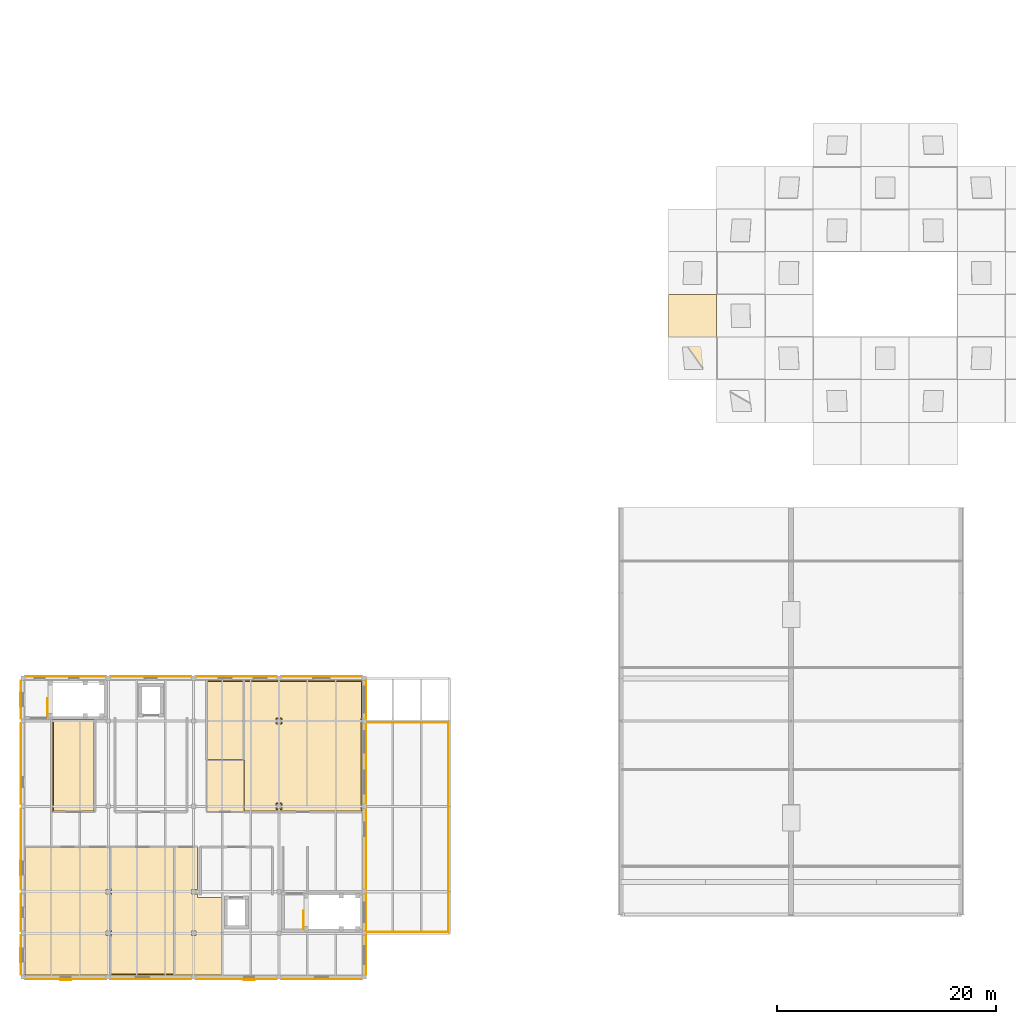
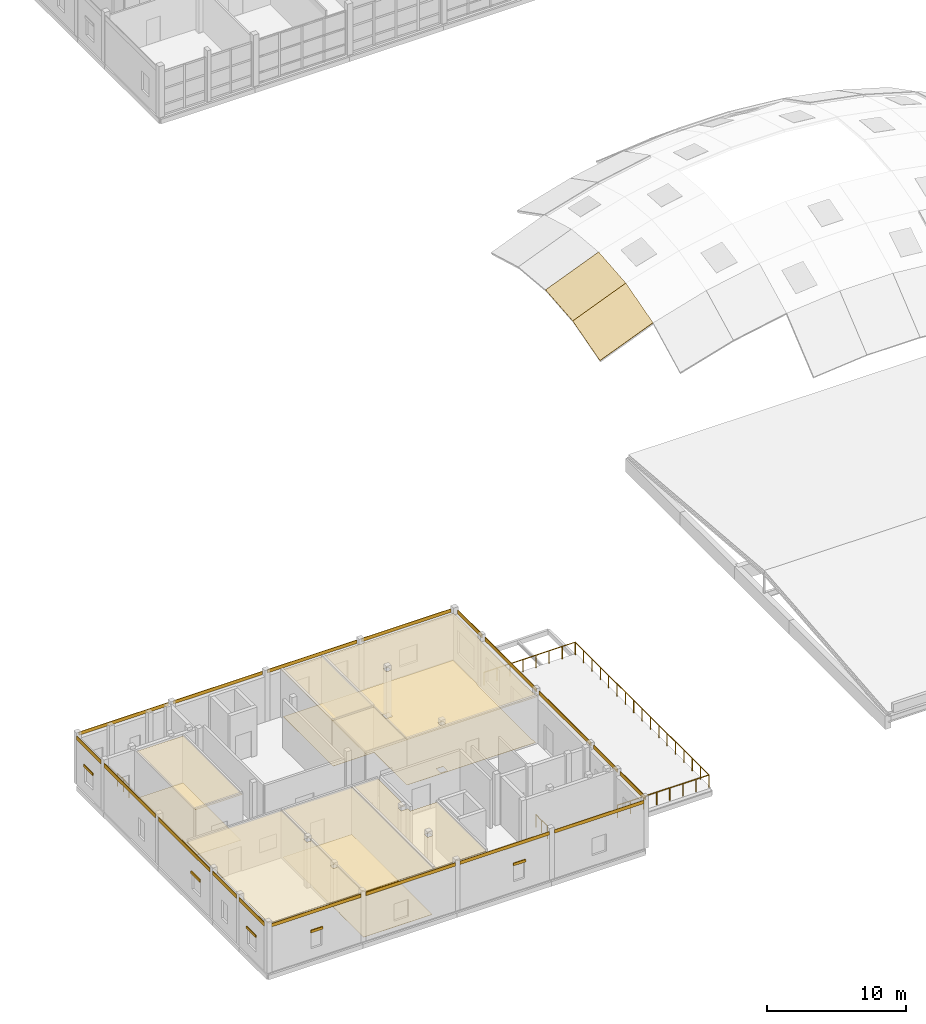
# One storey, part 40 of 45: 29 coverings, 5 railings, 5 shading devices.
"""IFC4 building model written with IfcOpenShell, lengths in metres."""

from ifc_helpers import new_model, si_unit, direction, frame, origin, origin_2d, place, context, subcontext, project, spatial, polyline, rectangle, circle, outline, extrude, material, layer, layer_set, type_object, element, save


model = new_model("IFC4")

# Units and contexts
model_context = context("Model", 3, precision=1e-05, world=origin(), true_north=direction((0.0, 1.0)))
body_context = subcontext(model_context, "Body", "Model", "MODEL_VIEW")
ifc_project = project(units=[si_unit("LENGTHUNIT", "METRE"), si_unit("AREAUNIT", "SQUARE_METRE"), si_unit("VOLUMEUNIT", "CUBIC_METRE"), si_unit("PLANEANGLEUNIT", "RADIAN"), si_unit("MASSUNIT", "GRAM", prefix="KILO")], contexts=[model_context])

# Site, building, storey
site_placement = place(None, origin())
site = spatial("IfcSite", under=ifc_project, at=site_placement, CompositionType="ELEMENT")
building_placement = place(site_placement, origin())
building = spatial("IfcBuilding", under=site, at=building_placement, Name="Celorna Specialist Clinic", CompositionType="ELEMENT")
storey_placement = place(building_placement, frame((0.0, 0.0, 18.60009765625)))
storey = spatial("IfcBuildingStorey", under=building, at=storey_placement, Name="L04", CompositionType="ELEMENT", Elevation=18.60009765625)

# Railings
ifc_material_1 = material(Name="Stainless steel and laminated glass balustrade", Category="steel")
railing_type_1 = type_object("IfcRailingType", Name="BL-01", PredefinedType="BALUSTRADE", material=ifc_material_1)
railing_1_placement = place(storey_placement, frame((31.320068359375, 23.280029296875, 0.0)))
element("IfcRailing", 1, at=railing_1_placement, inside=storey, type_object=railing_type_1, Name="Clinical Trials South Terrace perimeter balustrade 2", PredefinedType="BALUSTRADE", context=body_context, shape_type="SweptSolid", body=[
    extrude(circle(Radius=0.02392578125, at=origin_2d()), frame((0.0, 0.0, 1.09619140625), z_axis=(1.0, 0.0, 0.0), x_axis=(0.0, 1.0, 0.0)), (0.0, 0.0, 1.0), 7.559814453125),
    extrude(circle(Radius=0.02099609375, at=origin_2d()), origin(), (0.0, 0.0, 1.0), 1.072021484375),
    extrude(circle(Radius=0.02099609375, at=origin_2d()), frame((1.080078125, 0.0, 0.0)), (0.0, 0.0, 1.0), 1.072021484375),
    extrude(circle(Radius=0.02099609375, at=origin_2d()), frame((2.159912109375, 0.0, 0.0)), (0.0, 0.0, 1.0), 1.072021484375),
    extrude(circle(Radius=0.02099609375, at=origin_2d()), frame((3.239990234375, 0.0, 0.0)), (0.0, 0.0, 1.0), 1.072021484375),
    extrude(circle(Radius=0.02099609375, at=origin_2d()), frame((4.31982421875, 0.0, 0.0)), (0.0, 0.0, 1.0), 1.072021484375),
    extrude(circle(Radius=0.02099609375, at=origin_2d()), frame((5.39990234375, 0.0, 0.0)), (0.0, 0.0, 1.0), 1.072021484375),
    extrude(circle(Radius=0.02099609375, at=origin_2d()), frame((6.479736328125, 0.0, 0.0)), (0.0, 0.0, 1.0), 1.072021484375),
    extrude(circle(Radius=0.02099609375, at=origin_2d()), frame((7.559814453125, 0.0, 0.0)), (0.0, 0.0, 1.0), 1.072021484375),
])
railing_2_placement = place(storey_placement, frame((38.8798828125, 23.280029296875, 0.0)))
element("IfcRailing", 2, at=railing_2_placement, inside=storey, type_object=railing_type_1, Name="Clinical Trials South Terrace perimeter balustrade 3", PredefinedType="BALUSTRADE", context=body_context, shape_type="SweptSolid", body=[
    extrude(circle(Radius=0.02392578125, at=origin_2d()), frame((0.0, 0.0, 1.09619140625), z_axis=(0.0, -1.0, 0.0), x_axis=(1.0, 0.0, 0.0)), (0.0, 0.0, 1.0), 19.159912109375),
    extrude(circle(Radius=0.02099609375, at=origin_2d()), origin(), (0.0, 0.0, 1.0), 1.072021484375),
    extrude(circle(Radius=0.02099609375, at=origin_2d()), frame((0.0, -1.197509765625, 0.0)), (0.0, 0.0, 1.0), 1.072021484375),
    extrude(circle(Radius=0.02099609375, at=origin_2d()), frame((0.0, -2.39501953125, 0.0)), (0.0, 0.0, 1.0), 1.072021484375),
    extrude(circle(Radius=0.02099609375, at=origin_2d()), frame((0.0, -3.592529296875, 0.0)), (0.0, 0.0, 1.0), 1.072021484375),
    extrude(circle(Radius=0.02099609375, at=origin_2d()), frame((0.0, -4.7900390625, 0.0)), (0.0, 0.0, 1.0), 1.072021484375),
    extrude(circle(Radius=0.02099609375, at=origin_2d()), frame((0.0, -5.987548828125, 0.0)), (0.0, 0.0, 1.0), 1.072021484375),
    extrude(circle(Radius=0.02099609375, at=origin_2d()), frame((0.0, -7.18505859375, 0.0)), (0.0, 0.0, 1.0), 1.072021484375),
    extrude(circle(Radius=0.02099609375, at=origin_2d()), frame((0.0, -8.382568359375, 0.0)), (0.0, 0.0, 1.0), 1.072021484375),
    extrude(circle(Radius=0.02099609375, at=origin_2d()), frame((0.0, -9.580078125, 0.0)), (0.0, 0.0, 1.0), 1.072021484375),
    extrude(circle(Radius=0.02099609375, at=origin_2d()), frame((0.0, -10.77734375, 0.0)), (0.0, 0.0, 1.0), 1.072021484375),
    extrude(circle(Radius=0.02099609375, at=origin_2d()), frame((0.0, -11.974853515625, 0.0)), (0.0, 0.0, 1.0), 1.072021484375),
    extrude(circle(Radius=0.02099609375, at=origin_2d()), frame((0.0, -13.17236328125, 0.0)), (0.0, 0.0, 1.0), 1.072021484375),
    extrude(circle(Radius=0.02099609375, at=origin_2d()), frame((0.0, -14.369873046875, 0.0)), (0.0, 0.0, 1.0), 1.072021484375),
    extrude(circle(Radius=0.02099609375, at=origin_2d()), frame((0.0, -15.5673828125, 0.0)), (0.0, 0.0, 1.0), 1.072021484375),
    extrude(circle(Radius=0.02099609375, at=origin_2d()), frame((0.0, -16.764892578125, 0.0)), (0.0, 0.0, 1.0), 1.072021484375),
    extrude(circle(Radius=0.02099609375, at=origin_2d()), frame((0.0, -17.96240234375, 0.0)), (0.0, 0.0, 1.0), 1.072021484375),
    extrude(circle(Radius=0.02099609375, at=origin_2d()), frame((0.0, -19.159912109375, 0.0)), (0.0, 0.0, 1.0), 1.072021484375),
])
railing_3_placement = place(storey_placement, frame((38.8798828125, 4.1201171875, 0.0)))
element("IfcRailing", 3, at=railing_3_placement, inside=storey, type_object=railing_type_1, Name="Clinical Trials South Terrace perimeter balustrade 4", PredefinedType="BALUSTRADE", context=body_context, shape_type="SweptSolid", body=[
    extrude(circle(Radius=0.02392578125, at=origin_2d()), frame((0.0, 0.0, 1.09619140625), z_axis=(-1.0, 0.0, 0.0), x_axis=(0.0, -1.0, 0.0)), (0.0, 0.0, 1.0), 7.559814453125),
    extrude(circle(Radius=0.02099609375, at=origin_2d()), origin(), (0.0, 0.0, 1.0), 1.072021484375),
    extrude(circle(Radius=0.02099609375, at=origin_2d()), frame((-1.080078125, 0.0, 0.0)), (0.0, 0.0, 1.0), 1.072021484375),
    extrude(circle(Radius=0.02099609375, at=origin_2d()), frame((-2.159912109375, 0.0, 0.0)), (0.0, 0.0, 1.0), 1.072021484375),
    extrude(circle(Radius=0.02099609375, at=origin_2d()), frame((-3.239990234375, 0.0, 0.0)), (0.0, 0.0, 1.0), 1.072021484375),
    extrude(circle(Radius=0.02099609375, at=origin_2d()), frame((-4.31982421875, 0.0, 0.0)), (0.0, 0.0, 1.0), 1.072021484375),
    extrude(circle(Radius=0.02099609375, at=origin_2d()), frame((-5.39990234375, 0.0, 0.0)), (0.0, 0.0, 1.0), 1.072021484375),
    extrude(circle(Radius=0.02099609375, at=origin_2d()), frame((-6.479736328125, 0.0, 0.0)), (0.0, 0.0, 1.0), 1.072021484375),
    extrude(circle(Radius=0.02099609375, at=origin_2d()), frame((-7.559814453125, 0.0, 0.0)), (0.0, 0.0, 1.0), 1.072021484375),
])

# Coverings
ifc_material_2 = material(Name="Hygienic acoustic mineral-fibre ceiling")
ifc_layer_1 = layer(ifc_material_2, 0.030029296875, Name="Hygienic acoustic mineral-fibre ceiling")
ifc_layer_set_1 = layer_set([ifc_layer_1], Name="Hygienic acoustic mineral-fibre ceiling")
covering_type_1 = type_object("IfcCoveringType", Name="CE-01", PredefinedType="CEILING", material=ifc_layer_set_1)
covering_1_placement = place(storey_placement, frame((0.0, 0.0, 4.02978515625)))
element("IfcCovering", 4, at=covering_1_placement, inside=storey, type_object=covering_type_1, Name="Acoustic ceiling L04-024", PredefinedType="CEILING", context=body_context, shape_type="SweptSolid", body=[
    extrude(outline(polyline([(0.175048828125, 3.794921875), (0.205078125, 3.794921875), (0.205078125, 4.205078125), (0.175048828125, 4.205078125), (0.175048828125, 7.594970703125), (0.205078125, 7.594970703125), (0.205078125, 8.0048828125), (0.175048828125, 8.0048828125), (0.175048828125, 11.9150390625), (8.0048828125, 11.9150390625), (8.0048828125, 8.0048828125), (7.594970703125, 8.0048828125), (7.594970703125, 7.594970703125), (8.0048828125, 7.594970703125), (8.0048828125, 4.205078125), (7.594970703125, 4.205078125), (7.594970703125, 3.794921875), (8.0048828125, 3.794921875), (8.0048828125, 0.205078125), (7.594970703125, 0.205078125), (7.594970703125, 0.175048828125), (0.205078125, 0.175048828125), (0.205078125, 0.205078125), (0.175048828125, 0.205078125), (0.175048828125, 3.794921875)])), origin(), (0.0, 0.0, 1.0), 0.030029296875),
])
covering_2_placement = place(storey_placement, frame((0.0, 0.0, 4.02978515625)))
element("IfcCovering", 5, at=covering_2_placement, inside=storey, type_object=covering_type_1, Name="Acoustic ceiling L04-025", PredefinedType="CEILING", context=body_context, shape_type="SweptSolid", body=[
    extrude(outline(polyline([(7.97509765625, 3.794921875), (8.0048828125, 3.794921875), (8.0048828125, 4.205078125), (7.97509765625, 4.205078125), (7.97509765625, 7.594970703125), (8.0048828125, 7.594970703125), (8.0048828125, 8.0048828125), (7.97509765625, 8.0048828125), (7.97509765625, 11.9150390625), (13.85498046875, 11.9150390625), (13.85498046875, 0.175048828125), (8.0048828125, 0.175048828125), (8.0048828125, 0.205078125), (7.97509765625, 0.205078125), (7.97509765625, 3.794921875)])), origin(), (0.0, 0.0, 1.0), 0.030029296875),
])
covering_3_placement = place(storey_placement, frame((0.0, 0.0, 4.02978515625)))
element("IfcCovering", 6, at=covering_3_placement, inside=storey, type_object=covering_type_1, Name="Acoustic ceiling L04-026", PredefinedType="CEILING", context=body_context, shape_type="SweptSolid", body=[
    extrude(outline(polyline([(13.824951171875, 0.175048828125), (13.824951171875, 11.9150390625), (15.965087890625, 11.9150390625), (15.965087890625, 7.9951171875), (15.804931640625, 7.9951171875), (15.804931640625, 8.0048828125), (15.39501953125, 8.0048828125), (15.39501953125, 7.594970703125), (15.804931640625, 7.594970703125), (15.804931640625, 7.60498046875), (15.965087890625, 7.60498046875), (15.965087890625, 7.264892578125), (18.205078125, 7.264892578125), (18.205078125, 0.175048828125), (15.804931640625, 0.175048828125), (15.804931640625, 0.205078125), (15.39501953125, 0.205078125), (15.39501953125, 0.175048828125), (13.824951171875, 0.175048828125)]), holes=[polyline([(15.39501953125, 4.205078125), (15.39501953125, 3.794921875), (15.804931640625, 3.794921875), (15.804931640625, 4.205078125), (15.39501953125, 4.205078125)])]), origin(), (0.0, 0.0, 1.0), 0.030029296875),
])
covering_4_placement = place(storey_placement, frame((0.0, 0.0, 4.02978515625)))
element("IfcCovering", 7, at=covering_4_placement, inside=storey, type_object=covering_type_1, Name="Acoustic ceiling L04-027", PredefinedType="CEILING", context=body_context, shape_type="SweptSolid", body=[
    extrude(outline(polyline([(2.715087890625, 23.534912109375), (6.60498046875, 23.534912109375), (6.60498046875, 15.0849609375), (2.715087890625, 15.0849609375), (2.715087890625, 23.534912109375)])), origin(), (0.0, 0.0, 1.0), 0.030029296875),
])
covering_5_placement = place(storey_placement, frame((0.0, 0.0, 4.02978515625)))
element("IfcCovering", 8, at=covering_5_placement, inside=storey, type_object=covering_type_1, Name="Acoustic ceiling L04-028", PredefinedType="CEILING", context=body_context, shape_type="SweptSolid", body=[
    extrude(outline(polyline([(20.205078125, 19.81494140625), (20.205078125, 15.0849609375), (16.77490234375, 15.0849609375), (16.77490234375, 19.81494140625), (20.205078125, 19.81494140625)])), origin(), (0.0, 0.0, 1.0), 0.030029296875),
])
covering_6_placement = place(storey_placement, frame((0.0, 0.0, 4.02978515625)))
element("IfcCovering", 9, at=covering_6_placement, inside=storey, type_object=covering_type_1, Name="Acoustic ceiling L04-029", PredefinedType="CEILING", context=body_context, shape_type="SweptSolid", body=[
    extrude(outline(polyline([(30.9951171875, 27.125), (30.9951171875, 27.094970703125), (31.02490234375, 27.094970703125), (31.02490234375, 23.60498046875), (30.9951171875, 23.60498046875), (30.9951171875, 23.3349609375), (30.965087890625, 23.3349609375), (30.965087890625, 15.6650390625), (30.9951171875, 15.6650390625), (30.9951171875, 15.39501953125), (31.02490234375, 15.39501953125), (31.02490234375, 15.0849609375), (20.175048828125, 15.0849609375), (20.175048828125, 19.784912109375), (16.77490234375, 19.784912109375), (16.77490234375, 27.125), (23.195068359375, 27.125), (23.195068359375, 27.094970703125), (23.60498046875, 27.094970703125), (23.60498046875, 27.125), (30.9951171875, 27.125)]), holes=[polyline([(23.195068359375, 15.39501953125), (23.60498046875, 15.39501953125), (23.60498046875, 15.804931640625), (23.195068359375, 15.804931640625), (23.195068359375, 15.39501953125)]), polyline([(23.195068359375, 23.195068359375), (23.60498046875, 23.195068359375), (23.60498046875, 23.60498046875), (23.195068359375, 23.60498046875), (23.195068359375, 23.195068359375)])]), origin(), (0.0, 0.0, 1.0), 0.030029296875),
])
ifc_material_3 = material(Name="Pero Pinheiro Lioz limestone rainscreen cladding", Category="masonry")
ifc_layer_2 = layer(ifc_material_3, 0.044921875, Name="Pero Pinheiro Lioz limestone rainscreen cladding")
ifc_layer_set_2 = layer_set([ifc_layer_2], Name="Pero Pinheiro Lioz limestone rainscreen cladding")
covering_type_2 = type_object("IfcCoveringType", Name="CL-01", PredefinedType="CLADDING", material=ifc_layer_set_2)
for number, where, z_axis, x_axis, name in (
    (10, (3.89990234375, -0.16748046875, 3.949951171875), (0.0, 0.0, 1.0), (-1.0, 0.0, 0.0), "Lioz spandrel cladding #360"),
    (11, (11.699951171875, -0.16748046875, 3.949951171875), (0.0, 0.0, 1.0), (-1.0, 0.0, 0.0), "Lioz spandrel cladding #361"),
    (12, (19.5, -0.16748046875, 3.949951171875), (0.0, 0.0, 1.0), (-1.0, 0.0, 0.0), "Lioz spandrel cladding #362"),
    (13, (27.300048828125, -0.16748046875, 3.949951171875), (0.0, 0.0, 1.0), (-1.0, 0.0, 0.0), "Lioz spandrel cladding #363"),
    (14, (3.89990234375, 27.467529296875, 3.949951171875), (0.0, 0.0, 1.0), (1.0, 0.0, 0.0), "Lioz spandrel cladding #364"),
    (15, (11.699951171875, 27.467529296875, 3.949951171875), (0.0, 0.0, 1.0), (1.0, 0.0, 0.0), "Lioz spandrel cladding #365"),
    (16, (19.5, 27.467529296875, 3.949951171875), (0.0, 0.0, 1.0), (1.0, 0.0, 0.0), "Lioz spandrel cladding #366"),
    (17, (27.300048828125, 27.467529296875, 3.949951171875), (0.0, 0.0, 1.0), (1.0, 0.0, 0.0), "Lioz spandrel cladding #367"),
):
    element("IfcCovering", number, at=place(storey_placement, frame(where, z_axis=z_axis, x_axis=x_axis)), inside=storey, type_object=covering_type_2, Name=name, PredefinedType="CLADDING", context=body_context, shape_type="SweptSolid", body=[
        extrude(rectangle(XDim=7.39990234375, YDim=0.044921875, at=origin_2d()), origin(), (0.0, 0.0, 1.0), 0.2900390625),
    ])
covering_7_placement = place(storey_placement, frame((-0.16748046875, 2.0, 3.89990234375), z_axis=(0.0, 0.0, 1.0), x_axis=(0.0, 1.0, 0.0)))
element("IfcCovering", 18, at=covering_7_placement, inside=storey, type_object=covering_type_2, Name="Lioz spandrel cladding #368", PredefinedType="CLADDING", context=body_context, shape_type="SweptSolid", body=[
    extrude(rectangle(XDim=3.60009765625, YDim=0.044921875, at=origin_2d()), origin(), (0.0, 0.0, 1.0), 0.340087890625),
])
covering_8_placement = place(storey_placement, frame((-0.16748046875, 5.89990234375, 3.89990234375), z_axis=(0.0, 0.0, 1.0), x_axis=(0.0, 1.0, 0.0)))
element("IfcCovering", 19, at=covering_8_placement, inside=storey, type_object=covering_type_2, Name="Lioz spandrel cladding #369", PredefinedType="CLADDING", context=body_context, shape_type="SweptSolid", body=[
    extrude(rectangle(XDim=3.39990234375, YDim=0.044921875, at=origin_2d()), origin(), (0.0, 0.0, 1.0), 0.340087890625),
])
for number, where, z_axis, x_axis, name in (
    (20, (-0.16748046875, 11.699951171875, 3.89990234375), (0.0, 0.0, 1.0), (0.0, 1.0, 0.0), "Lioz spandrel cladding #370"),
    (21, (-0.16748046875, 19.5, 3.89990234375), (0.0, 0.0, 1.0), (0.0, 1.0, 0.0), "Lioz spandrel cladding #371"),
):
    element("IfcCovering", number, at=place(storey_placement, frame(where, z_axis=z_axis, x_axis=x_axis)), inside=storey, type_object=covering_type_2, Name=name, PredefinedType="CLADDING", context=body_context, shape_type="SweptSolid", body=[
        extrude(rectangle(XDim=7.39990234375, YDim=0.044921875, at=origin_2d()), origin(), (0.0, 0.0, 1.0), 0.340087890625),
    ])
covering_9_placement = place(storey_placement, frame((-0.16748046875, 25.35009765625, 3.89990234375), z_axis=(0.0, 0.0, 1.0), x_axis=(0.0, 1.0, 0.0)))
element("IfcCovering", 22, at=covering_9_placement, inside=storey, type_object=covering_type_2, Name="Lioz spandrel cladding #372", PredefinedType="CLADDING", context=body_context, shape_type="SweptSolid", body=[
    extrude(rectangle(XDim=3.5, YDim=0.044921875, at=origin_2d()), origin(), (0.0, 0.0, 1.0), 0.340087890625),
])
covering_10_placement = place(storey_placement, frame((31.367431640625, 2.0, 3.89990234375), z_axis=(0.0, 0.0, 1.0), x_axis=(0.0, -1.0, 0.0)))
element("IfcCovering", 23, at=covering_10_placement, inside=storey, type_object=covering_type_2, Name="Lioz spandrel cladding #373", PredefinedType="CLADDING", context=body_context, shape_type="SweptSolid", body=[
    extrude(rectangle(XDim=3.60009765625, YDim=0.044921875, at=origin_2d()), origin(), (0.0, 0.0, 1.0), 0.340087890625),
])
covering_11_placement = place(storey_placement, frame((31.367431640625, 5.89990234375, 3.89990234375), z_axis=(0.0, 0.0, 1.0), x_axis=(0.0, -1.0, 0.0)))
element("IfcCovering", 24, at=covering_11_placement, inside=storey, type_object=covering_type_2, Name="Lioz spandrel cladding #374", PredefinedType="CLADDING", context=body_context, shape_type="SweptSolid", body=[
    extrude(rectangle(XDim=3.39990234375, YDim=0.044921875, at=origin_2d()), origin(), (0.0, 0.0, 1.0), 0.340087890625),
])
for number, where, z_axis, x_axis, name in (
    (25, (31.367431640625, 11.699951171875, 3.89990234375), (0.0, 0.0, 1.0), (0.0, -1.0, 0.0), "Lioz spandrel cladding #375"),
    (26, (31.367431640625, 19.5, 3.89990234375), (0.0, 0.0, 1.0), (0.0, -1.0, 0.0), "Lioz spandrel cladding #376"),
):
    element("IfcCovering", number, at=place(storey_placement, frame(where, z_axis=z_axis, x_axis=x_axis)), inside=storey, type_object=covering_type_2, Name=name, PredefinedType="CLADDING", context=body_context, shape_type="SweptSolid", body=[
        extrude(rectangle(XDim=7.39990234375, YDim=0.044921875, at=origin_2d()), origin(), (0.0, 0.0, 1.0), 0.340087890625),
    ])
covering_12_placement = place(storey_placement, frame((31.367431640625, 25.35009765625, 3.89990234375), z_axis=(0.0, 0.0, 1.0), x_axis=(0.0, -1.0, 0.0)))
element("IfcCovering", 27, at=covering_12_placement, inside=storey, type_object=covering_type_2, Name="Lioz spandrel cladding #377", PredefinedType="CLADDING", context=body_context, shape_type="SweptSolid", body=[
    extrude(rectangle(XDim=3.5, YDim=0.044921875, at=origin_2d()), origin(), (0.0, 0.0, 1.0), 0.340087890625),
])
ifc_material_4 = material(Name="Seamless antimicrobial clinical vinyl and Lioz terrazzo flooring")
ifc_layer_3 = layer(ifc_material_4, 0.02001953125, Name="Seamless antimicrobial clinical vinyl and Lioz terrazzo flooring")
ifc_layer_set_3 = layer_set([ifc_layer_3], Name="Seamless antimicrobial clinical vinyl and Lioz terrazzo flooring")
covering_type_3 = type_object("IfcCoveringType", Name="FL-01", PredefinedType="FLOORING", material=ifc_layer_set_3)
covering_13_placement = place(storey_placement, origin())
element("IfcCovering", 28, at=covering_13_placement, inside=storey, type_object=covering_type_3, Name="Antimicrobial clinical flooring L04-025", PredefinedType="FLOORING", context=body_context, shape_type="SweptSolid", body=[
    extrude(outline(polyline([(8.06494140625, 0.284912109375), (8.06494140625, 3.715087890625), (8.0849609375, 3.715087890625), (8.0849609375, 4.284912109375), (8.06494140625, 4.284912109375), (8.06494140625, 7.514892578125), (8.0849609375, 7.514892578125), (8.0849609375, 8.0849609375), (8.06494140625, 8.0849609375), (8.06494140625, 11.824951171875), (13.764892578125, 11.824951171875), (13.764892578125, 0.264892578125), (8.0849609375, 0.264892578125), (8.0849609375, 0.284912109375), (8.06494140625, 0.284912109375)])), origin(), (0.0, 0.0, 1.0), 0.02001953125),
])
covering_14_placement = place(storey_placement, origin())
element("IfcCovering", 29, at=covering_14_placement, inside=storey, type_object=covering_type_3, Name="Antimicrobial clinical flooring L04-027", PredefinedType="FLOORING", context=body_context, shape_type="SweptSolid", body=[
    extrude(outline(polyline([(2.804931640625, 15.175048828125), (2.804931640625, 23.445068359375), (6.514892578125, 23.445068359375), (6.514892578125, 15.175048828125), (2.804931640625, 15.175048828125)])), origin(), (0.0, 0.0, 1.0), 0.02001953125),
])
covering_15_placement = place(storey_placement, origin())
element("IfcCovering", 30, at=covering_15_placement, inside=storey, type_object=covering_type_3, Name="Antimicrobial clinical flooring L04-029", PredefinedType="FLOORING", context=body_context, shape_type="SweptSolid", body=[
    extrude(outline(polyline([(23.114990234375, 27.034912109375), (23.114990234375, 27.014892578125), (23.68505859375, 27.014892578125), (23.68505859375, 27.034912109375), (30.9150390625, 27.034912109375), (30.9150390625, 27.014892578125), (30.93505859375, 27.014892578125), (30.93505859375, 23.68505859375), (30.9150390625, 23.68505859375), (30.9150390625, 23.425048828125), (30.875, 23.425048828125), (30.875, 15.574951171875), (30.9150390625, 15.574951171875), (30.9150390625, 15.31494140625), (30.93505859375, 15.31494140625), (30.93505859375, 15.175048828125), (20.264892578125, 15.175048828125), (20.264892578125, 19.875), (16.864990234375, 19.875), (16.864990234375, 27.034912109375), (23.114990234375, 27.034912109375)]), holes=[polyline([(23.114990234375, 15.31494140625), (23.68505859375, 15.31494140625), (23.68505859375, 15.885009765625), (23.114990234375, 15.885009765625), (23.114990234375, 15.31494140625)]), polyline([(23.114990234375, 23.114990234375), (23.68505859375, 23.114990234375), (23.68505859375, 23.68505859375), (23.114990234375, 23.68505859375), (23.114990234375, 23.114990234375)])]), origin(), (0.0, 0.0, 1.0), 0.02001953125),
])

# Railings
ifc_material_5 = material(Name="Powder-coated steel S355", Category="steel")
railing_type_2 = type_object("IfcRailingType", Name="GR-01", PredefinedType="GUARDRAIL", material=ifc_material_5)
railing_4_placement = place(storey_placement, frame((2.260009765625, 23.820068359375, 0.0)))
element("IfcRailing", 31, at=railing_4_placement, inside=storey, type_object=railing_type_2, Name="L04 ST-04 top well guard 1", PredefinedType="GUARDRAIL", context=body_context, shape_type="SweptSolid", body=[
    extrude(circle(Radius=0.02392578125, at=origin_2d()), frame((0.0, 0.0, 1.09619140625), z_axis=(0.0, 1.0, 0.0), x_axis=(-1.0, 0.0, 0.0)), (0.0, 0.0, 1.0), 1.64990234375),
    extrude(circle(Radius=0.02099609375, at=origin_2d()), origin(), (0.0, 0.0, 1.0), 1.072021484375),
    extrude(circle(Radius=0.02099609375, at=origin_2d()), frame((0.0, 0.824951171875, 0.0)), (0.0, 0.0, 1.0), 1.072021484375),
    extrude(circle(Radius=0.02099609375, at=origin_2d()), frame((0.0, 1.64990234375, 0.0)), (0.0, 0.0, 1.0), 1.072021484375),
])
railing_5_placement = place(storey_placement, frame((25.659912109375, 4.3798828125, 0.0)))
element("IfcRailing", 32, at=railing_5_placement, inside=storey, type_object=railing_type_2, Name="L04 ST-05 top well guard 1", PredefinedType="GUARDRAIL", context=body_context, shape_type="SweptSolid", body=[
    extrude(circle(Radius=0.02392578125, at=origin_2d()), frame((0.0, 0.0, 1.09619140625), z_axis=(0.0, 1.0, 0.0), x_axis=(-1.0, 0.0, 0.0)), (0.0, 0.0, 1.0), 1.650146484375),
    extrude(circle(Radius=0.02099609375, at=origin_2d()), origin(), (0.0, 0.0, 1.0), 1.072021484375),
    extrude(circle(Radius=0.02099609375, at=origin_2d()), frame((0.0, 0.8251953125, 0.0)), (0.0, 0.0, 1.0), 1.072021484375),
    extrude(circle(Radius=0.02099609375, at=origin_2d()), frame((0.0, 1.650146484375, 0.0)), (0.0, 0.0, 1.0), 1.072021484375),
])

# Shading devices
ifc_material_6 = material(Name="Anodized aluminium solar louvre", Category="aluminium")
ifc_layer_4 = layer(ifc_material_6, 0.080078125, Name="Anodized aluminium solar louvre")
ifc_layer_set_4 = layer_set([ifc_layer_4], Name="Anodized aluminium solar louvre")
shading_device_type = type_object("IfcShadingDeviceType", Name="LV-01", PredefinedType="JALOUSIE", material=ifc_layer_set_4)
for number, where, z_axis, x_axis, name in (
    (33, (3.89990234375, -0.22998046875, 2.33984375), (0.0, 0.0, 1.0), (-1.0, 0.0, 0.0), "External solar louvre LV-01 #224"),
    (34, (20.68505859375, -0.22998046875, 2.33984375), (0.0, 0.0, 1.0), (-1.0, 0.0, 0.0), "External solar louvre LV-01 #226"),
):
    element("IfcShadingDevice", number, at=place(storey_placement, frame(where, z_axis=z_axis, x_axis=x_axis)), inside=storey, type_object=shading_device_type, Name=name, PredefinedType="JALOUSIE", context=body_context, shape_type="SweptSolid", body=[
        extrude(rectangle(XDim=1.0, YDim=0.080078125, at=origin_2d()), origin(), (0.0, 0.0, 1.0), 0.219970703125),
    ])
for number, where, z_axis, x_axis, name in (
    (35, (-0.22998046875, 2.0, 2.23974609375), (0.0, 0.0, 1.0), (0.0, 1.0, 0.0), "External solar louvre LV-01 #234"),
    (36, (-0.22998046875, 9.9599609375, 2.23974609375), (0.0, 0.0, 1.0), (0.0, 1.0, 0.0), "External solar louvre LV-01 #236"),
    (37, (-0.22998046875, 25.35009765625, 2.23974609375), (0.0, 0.0, 1.0), (0.0, 1.0, 0.0), "External solar louvre LV-01 #238"),
):
    element("IfcShadingDevice", number, at=place(storey_placement, frame(where, z_axis=z_axis, x_axis=x_axis)), inside=storey, type_object=shading_device_type, Name=name, PredefinedType="JALOUSIE", context=body_context, shape_type="SweptSolid", body=[
        extrude(rectangle(XDim=1.300048828125, YDim=0.080078125, at=origin_2d()), origin(), (0.0, 0.0, 1.0), 0.219970703125),
    ])

# Coverings
ifc_material_7 = material(Name="Standing-seam zinc and EPDM acoustic roofing membrane")
ifc_layer_5 = layer(ifc_material_7, 0.0400390625, Name="Standing-seam zinc and EPDM acoustic roofing membrane")
ifc_layer_set_5 = layer_set([ifc_layer_5], Name="Standing-seam zinc and EPDM acoustic roofing membrane")
covering_type_4 = type_object("IfcCoveringType", Name="RFG-01", PredefinedType="ROOFING", material=ifc_layer_set_5)
covering_16_placement = place(storey_placement, frame((59.0, 54.60009765625, -0.30029296875), z_axis=(-0.361908443036, -0.254775062522, 0.896722892747), x_axis=(0.92732369412, 5.87773e-06, 0.374260292163)))
element("IfcCovering", 38, at=covering_16_placement, inside=storey, type_object=covering_type_4, Name="GSH-V1 gridshell standing-seam roofing 2-3", PredefinedType="ROOFING", context=body_context, shape_type="SweptSolid", body=[
    extrude(outline(polyline([(0.0, 0.0), (4.744774653470725, 0.0), (5.159444354812076, 4.032958248223743), (0.4147610734829924, 4.033015928112645), (0.0, 0.0)])), origin(), (0.0, 0.0, -1.0), 0.0400390625),
])
covering_17_placement = place(storey_placement, frame((59.0, 58.5, 0.807861328125), z_axis=(-0.372920883143, -0.084481988478, 0.924009095485), x_axis=(0.927324337442, -2.008368e-06, 0.374258698208)))
element("IfcCovering", 39, at=covering_17_placement, inside=storey, type_object=covering_type_4, Name="GSH-V1 gridshell standing-seam roofing 2-4", PredefinedType="ROOFING", context=body_context, shape_type="SweptSolid", body=[
    extrude(outline(polyline([(0.0, 0.0), (4.74468328160167, 0.0), (4.878169579555202, 3.9139043233443394), (0.13339492620104004, 3.913885196646841), (0.0, 0.0)])), origin(), (0.0, 0.0, -1.0), 0.0400390625),
])

save(model, "model.ifc")
